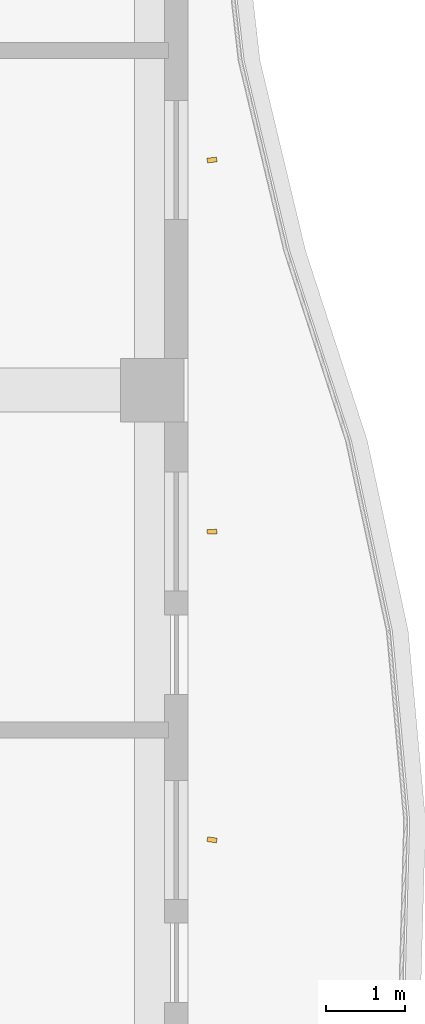
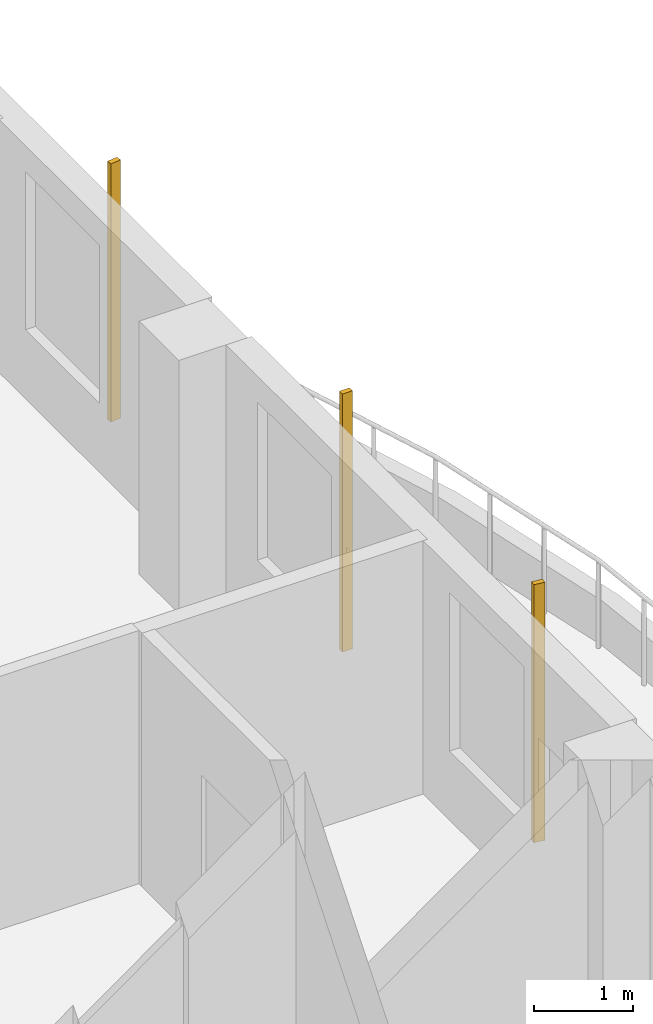
# One storey, part 19 of 21: 3 shading devices.
"""IFC4 building model written with IfcOpenShell, lengths in metres."""

from ifc_helpers import new_model, si_unit, direction, frame, origin, origin_2d, place, context, subcontext, project, spatial, rectangle, extrude, source, transform, mapped, material, material_profile, profile_set, type_object, element, save


model = new_model("IFC4")

# Units and contexts
model_context = context("Model", 3, precision=1e-05, world=origin(), true_north=direction((0.0, 1.0)))
body_context = subcontext(model_context, "Body", "Model", "MODEL_VIEW")
ifc_project = project(units=[si_unit("LENGTHUNIT", "METRE"), si_unit("AREAUNIT", "SQUARE_METRE"), si_unit("VOLUMEUNIT", "CUBIC_METRE"), si_unit("PLANEANGLEUNIT", "RADIAN"), si_unit("MASSUNIT", "GRAM", prefix="KILO")], contexts=[model_context])

# Site, building, storey
site_placement = place(None, origin())
site = spatial("IfcSite", under=ifc_project, at=site_placement, CompositionType="ELEMENT")
building_placement = place(site_placement, origin())
building = spatial("IfcBuilding", under=site, at=building_placement, Name="Kilnfold Tower and Market Hall", CompositionType="ELEMENT")
storey_placement = place(building_placement, frame((0.0, 0.0, 185.5)))
storey = spatial("IfcBuildingStorey", under=building, at=storey_placement, Name="L44", CompositionType="ELEMENT", Elevation=185.5)

# Shading devices
ifc_material = material(Name="Terracotta", Category="masonry")
ifc_material_profile = material_profile(ifc_material, rectangle(XDim=0.06005859375, YDim=0.1201171875, at=origin_2d()), Name="BAG 60x120")
ifc_profile_set = profile_set([ifc_material_profile], Name="Terracotta")
shading_device_type = type_object("IfcShadingDeviceType", Name="BAGUETTE", PredefinedType="USERDEFINED", material=ifc_profile_set)
shared_shape = source(origin(), body_context, "Body", "SweptSolid", [
    extrude(rectangle(XDim=0.06005859375, YDim=0.1201171875, at=origin_2d()), origin(), (0.0, 0.0, 1.0), 3.179931640625),
])
for number, where, z_axis, x_axis, name in (
    (1, (25.550048828125, -6.22509765625, 0.0), (0.0, 0.0, 1.0), (0.138995079298, 0.990293071737, 0.0), "Terracotta baguette L44 E"),
    (2, (25.550048828125, -2.34375, 0.0), (0.0, 0.0, 1.0), (-0.016749141616, 0.999859723289, 0.0), "Terracotta baguette L44 E"),
    (3, (25.550048828125, 2.33740234375, 0.0), (0.0, 0.0, 1.0), (-0.110889606258, 0.993832730002, 0.0), "Terracotta baguette L44 E"),
):
    element("IfcShadingDevice", number, at=place(storey_placement, frame(where, z_axis=z_axis, x_axis=x_axis)), inside=storey, type_object=shading_device_type, Name=name, ObjectType="BAGUETTE", PredefinedType="USERDEFINED", context=body_context, shape_type="MappedRepresentation", body=[
        mapped(shared_shape, transform((0.0, 0.0, 0.0))),
    ])

save(model, "model.ifc")
